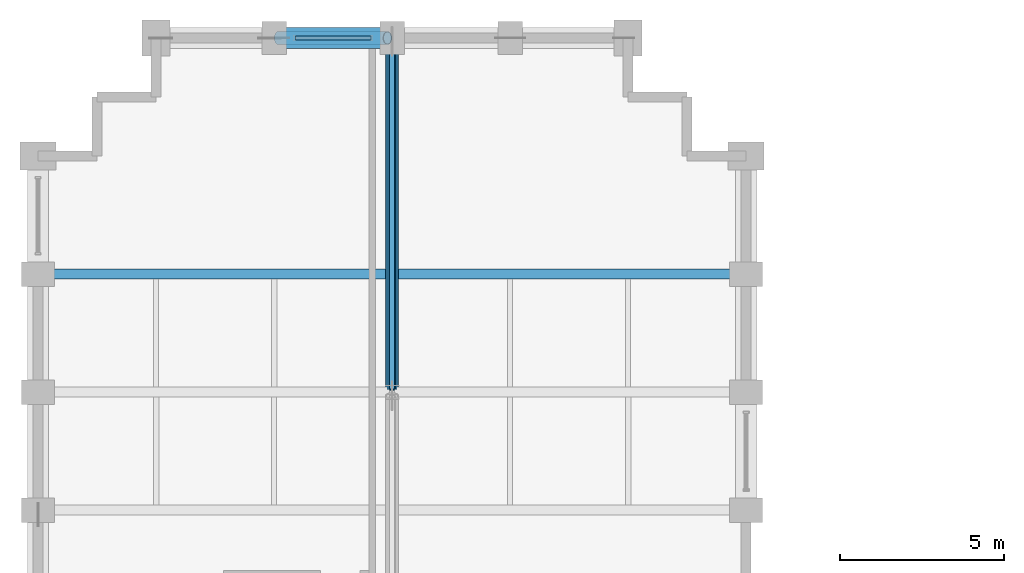
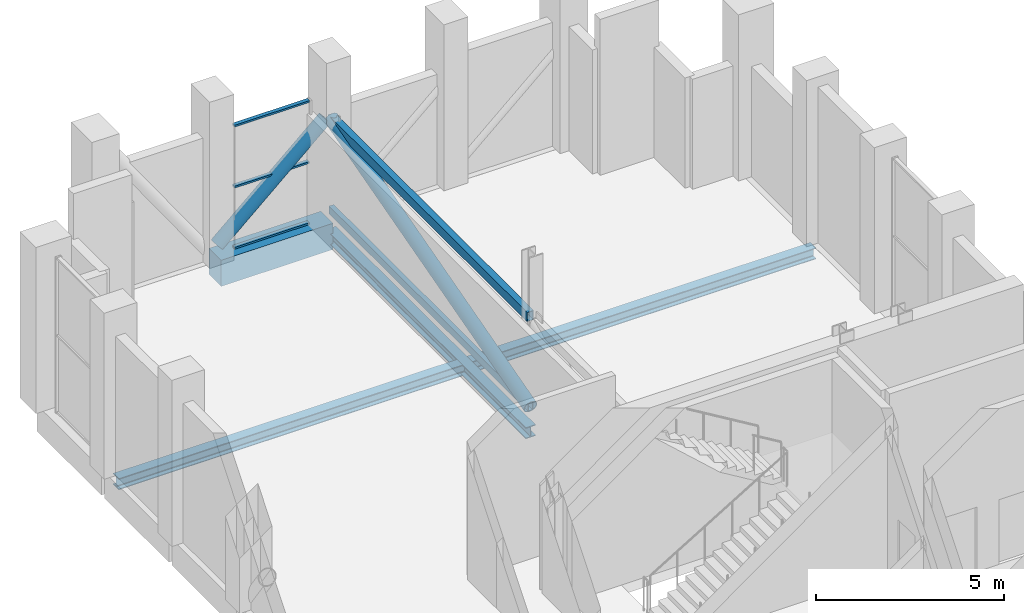
# One storey, part 12 of 19: 7 members, 3 beams, 1 element without a shape of its own.
"""IFC4 building model written with IfcOpenShell, lengths in metres."""

import ifcopenshell
import ifcopenshell.guid

model = None  # the IFC model being written
_history = None  # IfcOwnerHistory: only IFC2X3 demands one
_inside = {}  # id of a spatial element -> (the spatial element, [elements in it])
_under = {}  # id of a project, library or spatial element -> (it, [spatial elements below it])
_declared = {}  # id of a project -> (the project, [libraries it declares])
_typed = {}  # id of a type object -> (the type object, [elements of that type])
_made_of = {}  # id of a material, layer set ... -> (it, [elements and type objects made of it])


def new_model(schema):
    """Start an empty IFC model of exactly this schema.

    Asked for "IFC4X3", IfcOpenShell would pick the latest addendum, in which some entities
    have other attributes; the version numbers below select the first issue.
    IFC2X3 requires an IfcOwnerHistory on every rooted entity: one is made here for all.
    """
    global model, _history
    if schema == "IFC4X3":
        model = ifcopenshell.file(schema_version=(4, 3, 0, 0))
    else:
        model = ifcopenshell.file(schema=schema)
    _inside.clear()
    _under.clear()
    _declared.clear()
    _typed.clear()
    _made_of.clear()
    _history = None
    if model.schema == "IFC2X3":
        org = make("IfcOrganization", Name="unknown")
        user = make(
            "IfcPersonAndOrganization",
            ThePerson=make("IfcPerson", FamilyName="unknown"),
            TheOrganization=org,
        )
        app = make(
            "IfcApplication",
            ApplicationDeveloper=org,
            Version="unknown",
            ApplicationFullName="unknown",
            ApplicationIdentifier="unknown",
        )
        _history = make(
            "IfcOwnerHistory",
            OwningUser=user,
            OwningApplication=app,
            ChangeAction="ADDED",
            CreationDate=0,
        )
    return model


def make(cls, **values):
    """One entity of the class cls with the attributes given. An attribute that is None is left unset."""
    return model.create_entity(
        cls, **{name: value for name, value in values.items() if value is not None}
    )


def rooted(cls, **values):
    """An entity with a GlobalId (a new one), such as an element, a storey or a relation."""
    return make(cls, GlobalId=ifcopenshell.guid.new(), OwnerHistory=_history, **values)


def si_unit(unit_type, name, prefix=None):
    """IfcSIUnit, for example si_unit("LENGTHUNIT", "METRE", prefix="MILLI")."""
    return make("IfcSIUnit", UnitType=unit_type, Prefix=prefix, Name=name)


def assignment(units):
    """IfcUnitAssignment: the units of a project."""
    return None if units is None else make("IfcUnitAssignment", Units=units)


def point(xyz):
    """IfcCartesianPoint."""
    return None if xyz is None else make("IfcCartesianPoint", Coordinates=xyz)


def direction(xyz):
    """IfcDirection."""
    return None if xyz is None else make("IfcDirection", DirectionRatios=xyz)


def frame(location, z_axis=None, x_axis=None):
    """IfcAxis2Placement3D, a coordinate frame: its origin and axes. An axis left out is left unset."""
    return make(
        "IfcAxis2Placement3D",
        Location=point(location),
        Axis=direction(z_axis),
        RefDirection=direction(x_axis),
    )


def frame_2d(location, x_axis=None):
    """IfcAxis2Placement2D, a coordinate frame in the plane: its origin and x axis."""
    return make(
        "IfcAxis2Placement2D", Location=point(location), RefDirection=direction(x_axis)
    )


def origin():
    """The frame at (0, 0, 0) with its axes left unset."""
    return frame((0.0, 0.0, 0.0))


def origin_2d():
    """The frame at (0, 0) in the plane with its x axis left unset."""
    return frame_2d((0.0, 0.0))


def place(relative_to, where):
    """IfcLocalPlacement: puts the frame where relative to a parent placement (None: the world)."""
    return make(
        "IfcLocalPlacement", PlacementRelTo=relative_to, RelativePlacement=where
    )


def context(
    kind, dimensions, precision=None, world=None, true_north=None, identifier=None
):
    """IfcGeometricRepresentationContext, for example the 3D "Model" context."""
    return make(
        "IfcGeometricRepresentationContext",
        ContextIdentifier=identifier,
        ContextType=kind,
        CoordinateSpaceDimension=dimensions,
        Precision=precision,
        WorldCoordinateSystem=world,
        TrueNorth=true_north,
    )


def subcontext(parent, identifier, kind, view, scale=None):
    """IfcGeometricRepresentationSubContext, for example "Body" below "Model"."""
    return make(
        "IfcGeometricRepresentationSubContext",
        ContextIdentifier=identifier,
        ContextType=kind,
        ParentContext=parent,
        TargetScale=scale,
        TargetView=view,
    )


def project(units=None, contexts=None):
    """IfcProject with its units and contexts."""
    return rooted(
        "IfcProject",
        Name="project",
        RepresentationContexts=contexts,
        UnitsInContext=assignment(units),
    )


def spatial(cls, under=None, at=None, **own):
    """A site, building, storey or space (cls), placed at a placement, below another one or the project."""
    s = rooted(cls, ObjectPlacement=at, **own)
    if under is not None:
        _under.setdefault(under.id(), (under, []))[1].append(s)
    return s


def profile(cls, at=None, kind="AREA", **sizes):
    """A parametric profile (cls). Its sizes go by their IFC names, for example OverallWidth=200.0."""
    return make(cls, ProfileType=kind, Position=at, **sizes)


def rectangle(**sizes):
    """IfcRectangleProfileDef."""
    return profile("IfcRectangleProfileDef", **sizes)


def hollow_rectangle(**sizes):
    """IfcRectangleHollowProfileDef."""
    return profile("IfcRectangleHollowProfileDef", **sizes)


def hollow_circle(**sizes):
    """IfcCircleHollowProfileDef."""
    return profile("IfcCircleHollowProfileDef", **sizes)


def i_section(**sizes):
    """IfcIShapeProfileDef."""
    return profile("IfcIShapeProfileDef", **sizes)


def extrude(swept, where, along, depth):
    """IfcExtrudedAreaSolid: the profile swept, set in the frame where, extruded along a direction by depth."""
    return make(
        "IfcExtrudedAreaSolid",
        SweptArea=swept,
        Position=where,
        ExtrudedDirection=direction(along),
        Depth=depth,
    )


def shape(context_of_items, identifier, shape_type, items):
    """IfcShapeRepresentation: the items that make up one representation, for example the "Body"."""
    return make(
        "IfcShapeRepresentation",
        ContextOfItems=context_of_items,
        RepresentationIdentifier=identifier,
        RepresentationType=shape_type,
        Items=items,
    )


def material(Name=None, Category=None):
    """IfcMaterial."""
    return make("IfcMaterial", Name=Name, Category=Category)


def layer(
    of_material, thickness, ventilated=None, Name=None, Category=None, Priority=None
):
    """IfcMaterialLayer: one layer of a wall or slab, of a material (None: an air gap)."""
    return make(
        "IfcMaterialLayer",
        Material=of_material,
        LayerThickness=thickness,
        IsVentilated=ventilated,
        Name=Name,
        Category=Category,
        Priority=Priority,
    )


def layer_set(layers, Name=None):
    """IfcMaterialLayerSet."""
    return make("IfcMaterialLayerSet", MaterialLayers=layers, LayerSetName=Name)


def material_profile(
    of_material, cross_section, Name=None, Category=None, Priority=None
):
    """IfcMaterialProfile: a cross section and its material."""
    return make(
        "IfcMaterialProfile",
        Name=Name,
        Material=of_material,
        Profile=cross_section,
        Priority=Priority,
        Category=Category,
    )


def profile_set(profiles, Name=None, composite=None):
    """IfcMaterialProfileSet."""
    return make(
        "IfcMaterialProfileSet",
        Name=Name,
        MaterialProfiles=profiles,
        CompositeProfile=composite,
    )


def made_of(thing, what):
    """Note that an element or type object is made of a material, layer set ...; save() writes the relation."""
    if what is not None:
        _made_of.setdefault(what.id(), (what, []))[1].append(thing)
    return thing


def type_object(cls, material=None, **own):
    """A type object (cls), such as IfcWallType, which elements share."""
    return made_of(rooted(cls, **own), material)


def element(
    cls,
    number,
    at=None,
    inside=None,
    cuts=None,
    type_object=None,
    material=None,
    context=None,
    identifier="Body",
    shape_type=None,
    held_by="IfcProductDefinitionShape",
    body=None,
    shapes=None,
    **own,
):
    """One element of the class cls, such as IfcWall. Its Tag is "e" and its number.

    at: its placement. inside: the storey or other place that contains it. cuts: it is an
    opening in that element (IfcRelVoidsElement). A single representation is given by context,
    identifier, shape_type and body (its items); several are given by shapes. held_by: the class
    of the entity that holds the representations. save() writes the other relations.
    """
    e = rooted(cls, Tag="e%d" % number, ObjectPlacement=at, **own)
    if body is not None:
        shapes = [shape(context, identifier, shape_type, body)]
    if shapes is not None:
        e.Representation = make(held_by, Representations=shapes)
    if inside is not None:
        _inside.setdefault(inside.id(), (inside, []))[1].append(e)
    if cuts is not None:
        rooted(
            "IfcRelVoidsElement", RelatingBuildingElement=cuts, RelatedOpeningElement=e
        )
    if type_object is not None:
        _typed.setdefault(type_object.id(), (type_object, []))[1].append(e)
    return made_of(e, material)


def aggregate(whole, parts):
    """IfcRelAggregates: a whole, such as a stair, and the parts it consists of."""
    return rooted("IfcRelAggregates", RelatingObject=whole, RelatedObjects=parts)


def save(model, path):
    """Write the relations noted so far, then the file.

    IfcRelAggregates (storeys below a building ...), IfcRelContainedInSpatialStructure (elements
    in a storey), IfcRelDefinesByType, IfcRelAssociatesMaterial and IfcRelDeclares: one each for
    every whole, place, type object, material and project.
    """
    for whole, parts in _under.values():
        aggregate(whole, parts)
    for where, things in _inside.values():
        rooted(
            "IfcRelContainedInSpatialStructure",
            RelatedElements=things,
            RelatingStructure=where,
        )
    for kind, things in _typed.values():
        rooted("IfcRelDefinesByType", RelatedObjects=things, RelatingType=kind)
    for what, things in _made_of.values():
        rooted("IfcRelAssociatesMaterial", RelatedObjects=things, RelatingMaterial=what)
    for by, libraries in _declared.values():
        rooted("IfcRelDeclares", RelatingContext=by, RelatedDefinitions=libraries)
    model.write(path)


model = new_model("IFC4")

# Units and contexts
model_context = context("Model", 3, precision=1e-05, world=origin(), true_north=direction((0.0, 1.0)))
body_context = subcontext(model_context, "Body", "Model", "MODEL_VIEW")
ifc_project = project(units=[si_unit("LENGTHUNIT", "METRE"), si_unit("AREAUNIT", "SQUARE_METRE"), si_unit("VOLUMEUNIT", "CUBIC_METRE"), si_unit("PLANEANGLEUNIT", "RADIAN"), si_unit("MASSUNIT", "GRAM", prefix="KILO")], contexts=[model_context])

# Site, building, storey
site_placement = place(None, origin())
site = spatial("IfcSite", under=ifc_project, at=site_placement, CompositionType="ELEMENT")
building_placement = place(site_placement, origin())
building = spatial("IfcBuilding", under=site, at=building_placement, Name="Solnavia Interchange Tower", CompositionType="ELEMENT")
storey_placement = place(building_placement, frame((0.0, 0.0, 169.39990234375)))
storey = spatial("IfcBuildingStorey", under=building, at=storey_placement, Name="L42", CompositionType="ELEMENT", Elevation=169.39990234375)

# Beams
ifc_material_1 = material(Name="Steel S460", Category="steel")
ifc_material_profile_1 = material_profile(ifc_material_1, i_section(OverallWidth=0.300048828125, OverallDepth=0.360107421875, WebThickness=0.012451171875, FlangeThickness=0.0224609375, FilletRadius=0.027099609375, at=origin_2d()), Name="HEB 360")
ifc_profile_set_1 = profile_set([ifc_material_profile_1], Name="Steel S460")
beam_type_1 = type_object("IfcBeamType", Name="Beam-Girder-HEB360", PredefinedType="BEAM", material=ifc_profile_set_1)
beam_1_placement = place(storey_placement, frame((18.0, 32.47998046875, -0.5), z_axis=(0.0, 1.0, 0.0), x_axis=(-1.0, 0.0, 0.0)))
element("IfcBeam", 1, at=beam_1_placement, inside=storey, type_object=beam_type_1, Name="GRD-L42-NS09 North wing spine girder", PredefinedType="BEAM", context=body_context, shape_type="SweptSolid", body=[
    extrude(i_section(OverallWidth=0.300048828125, OverallDepth=0.360107421875, WebThickness=0.012451171875, FlangeThickness=0.0224609375, FilletRadius=0.027099609375, at=origin_2d()), origin(), (0.0, 0.0, 1.0), 10.64013671875),
])
beam_2_placement = place(storey_placement, frame((7.280029296875, 36.0, -0.5), z_axis=(1.0, 0.0, 0.0), x_axis=(0.0, 1.0, 0.0)))
element("IfcBeam", 2, at=beam_2_placement, inside=storey, type_object=beam_type_1, Name="GRD-L42-NW13 North wing primary floor girder", PredefinedType="BEAM", context=body_context, shape_type="SweptSolid", body=[
    extrude(i_section(OverallWidth=0.300048828125, OverallDepth=0.360107421875, WebThickness=0.012451171875, FlangeThickness=0.0224609375, FilletRadius=0.027099609375, at=origin_2d()), origin(), (0.0, 0.0, 1.0), 21.43994140625),
])
ifc_material_2 = material(Name="Concrete C50/60", Category="concrete")
ifc_material_profile_2 = material_profile(ifc_material_2, rectangle(XDim=0.64990234375, YDim=0.85009765625, at=origin_2d()), Name="RC 650x850")
ifc_profile_set_2 = profile_set([ifc_material_profile_2], Name="Concrete C50/60")
beam_type_2 = type_object("IfcBeamType", Name="Beam-Spandrel-RC650x850", PredefinedType="SPANDREL", material=ifc_profile_set_2)
beam_3_placement = place(storey_placement, frame((17.919921875, 43.199951171875, -0.4248046875), z_axis=(-1.0, 0.0, 0.0), x_axis=(0.0, -1.0, 0.0)))
element("IfcBeam", 3, at=beam_3_placement, inside=storey, type_object=beam_type_2, Name="SPB-L42-30 Framed-tube perimeter spandrel beam", PredefinedType="SPANDREL", context=body_context, shape_type="SweptSolid", body=[
    extrude(rectangle(XDim=0.64990234375, YDim=0.85009765625, at=origin_2d()), origin(), (0.0, 0.0, 1.0), 3.43994140625),
])

# Curtain wall, members
ifc_material_3 = material(Name="Aluminium Alloy 6063-T6", Category="aluminium")
ifc_layer = layer(ifc_material_3, 0.199951171875)
ifc_layer_set = layer_set([ifc_layer], Name="Aluminium Alloy 6063-T6")
curtain_wall_type = type_object("IfcCurtainWallType", Name="CurtainWall-Louvre-CTW5", PredefinedType="NOTDEFINED", material=ifc_layer_set)
curtain_wall_placement = place(storey_placement, origin())
curtain_wall = element("IfcCurtainWall", 4, at=curtain_wall_placement, inside=storey, type_object=curtain_wall_type, Name="CTW-L42-L36 CTW-5 curtain wall", PredefinedType="NOTDEFINED")
ifc_material_profile_3 = material_profile(ifc_material_3, hollow_rectangle(XDim=0.06005859375, YDim=0.1201171875, WallThickness=0.00390625, at=origin_2d()), Name="ALU 120x60x4")
ifc_profile_set_3 = profile_set([ifc_material_profile_3], Name="Aluminium Alloy 6063-T6")
member_type_1 = type_object("IfcMemberType", Name="CW-Transom-CWT-5", PredefinedType="USERDEFINED", material=ifc_profile_set_3)
member_1_placement = place(storey_placement, frame((17.3525390625, 43.199951171875, 0.030029296875), z_axis=(-1.0, 0.0, 0.0), x_axis=(0.0, 0.0, 1.0)))
member_1 = element("IfcMember", 5, at=member_1_placement, type_object=member_type_1, Name="CTW-5 transom 1.1", ObjectType="TRANSOM", PredefinedType="USERDEFINED", context=body_context, shape_type="SweptSolid", body=[
    extrude(hollow_rectangle(XDim=0.06005859375, YDim=0.1201171875, WallThickness=0.00390625, at=origin_2d()), origin(), (0.0, 0.0, 1.0), 2.304931640625),
])
member_2_placement = place(storey_placement, frame((17.3525390625, 43.199951171875, 2.01513671875), z_axis=(-1.0, 0.0, 0.0), x_axis=(0.0, 0.0, 1.0)))
member_2 = element("IfcMember", 6, at=member_2_placement, type_object=member_type_1, Name="CTW-5 transom 1.2", ObjectType="TRANSOM", PredefinedType="USERDEFINED", context=body_context, shape_type="SweptSolid", body=[
    extrude(hollow_rectangle(XDim=0.06005859375, YDim=0.1201171875, WallThickness=0.00390625, at=origin_2d()), origin(), (0.0, 0.0, 1.0), 2.304931640625),
])
member_3_placement = place(storey_placement, frame((17.3525390625, 43.199951171875, 4.0), z_axis=(-1.0, 0.0, 0.0), x_axis=(0.0, 0.0, 1.0)))
member_3 = element("IfcMember", 7, at=member_3_placement, type_object=member_type_1, Name="CTW-5 transom 1.3", ObjectType="TRANSOM", PredefinedType="USERDEFINED", context=body_context, shape_type="SweptSolid", body=[
    extrude(hollow_rectangle(XDim=0.06005859375, YDim=0.1201171875, WallThickness=0.00390625, at=origin_2d()), origin(), (0.0, 0.0, 1.0), 2.304931640625),
])
aggregate(curtain_wall, [member_1, member_2, member_3])

# Members
ifc_material_4 = material(Name="Steel S355", Category="steel")
ifc_material_profile_4 = material_profile(ifc_material_4, hollow_rectangle(XDim=0.14990234375, YDim=0.25, WallThickness=0.010009765625, at=origin_2d()), Name="RHS 250x150x10")
ifc_profile_set_4 = profile_set([ifc_material_profile_4], Name="Steel S355")
member_type_2 = type_object("IfcMemberType", Name="Outrigger-Chord-RHS250", PredefinedType="CHORD", material=ifc_profile_set_4)
member_4_placement = place(storey_placement, frame((18.0, 32.5, 0.300048828125), z_axis=(0.0, 1.0, 0.0), x_axis=(-1.0, 0.0, 0.0)))
element("IfcMember", 8, at=member_4_placement, inside=storey, type_object=member_type_2, Name="OTR-L42-BC03 Outrigger bottom chord", PredefinedType="CHORD", context=body_context, shape_type="SweptSolid", body=[
    extrude(hollow_rectangle(XDim=0.14990234375, YDim=0.25, WallThickness=0.010009765625, at=origin_2d()), origin(), (0.0, 0.0, 1.0), 10.60009765625),
])
ifc_material_profile_5 = material_profile(ifc_material_1, hollow_rectangle(XDim=0.199951171875, YDim=0.300048828125, WallThickness=0.012451171875, at=origin_2d()), Name="RHS 300x200x12.5")
ifc_profile_set_5 = profile_set([ifc_material_profile_5], Name="Steel S460")
member_type_3 = type_object("IfcMemberType", Name="Outrigger-Chord-RHS300", PredefinedType="CHORD", material=ifc_profile_set_5)
member_5_placement = place(storey_placement, frame((18.0, 32.5, 3.25), z_axis=(0.0, 1.0, 0.0), x_axis=(-1.0, 0.0, 0.0)))
element("IfcMember", 9, at=member_5_placement, inside=storey, type_object=member_type_3, Name="OTR-L42-TC03 Outrigger top chord", PredefinedType="CHORD", context=body_context, shape_type="SweptSolid", body=[
    extrude(hollow_rectangle(XDim=0.199951171875, YDim=0.300048828125, WallThickness=0.012451171875, at=origin_2d()), origin(), (0.0, 0.0, 1.0), 10.60009765625),
])
ifc_material_profile_6 = material_profile(ifc_material_1, hollow_circle(Radius=0.203125, WallThickness=0.02001953125, at=origin_2d()), Name="CHS 406.4x20")
ifc_profile_set_6 = profile_set([ifc_material_profile_6], Name="Steel S460")
member_type_4 = type_object("IfcMemberType", Name="Outrigger-Diag-CHS406", PredefinedType="BRACE", material=ifc_profile_set_6)
member_6_placement = place(storey_placement, frame((18.0, 32.5, 0.300048828125), z_axis=(0.0, 0.963389371219, 0.26810617192), x_axis=(-1.0, 0.0, 0.0)))
element("IfcMember", 10, at=member_6_placement, inside=storey, type_object=member_type_4, Name="OTR-L42-DG03 Outrigger truss diagonal", PredefinedType="BRACE", context=body_context, shape_type="SweptSolid", body=[
    extrude(hollow_circle(Radius=0.203125, WallThickness=0.02001953125, at=origin_2d()), origin(), (0.0, 0.0, 1.0), 11.0029296875),
])
member_7_placement = place(storey_placement, frame((14.5400390625, 43.199951171875, 0.300048828125), z_axis=(0.747545781752, 0.0, 0.664210286118), x_axis=(0.0, 1.0, 0.0)))
element("IfcMember", 11, at=member_7_placement, inside=storey, type_object=member_type_4, Name="OTR-L42-BT10 Belt truss diagonal", PredefinedType="BRACE", context=body_context, shape_type="SweptSolid", body=[
    extrude(hollow_circle(Radius=0.203125, WallThickness=0.02001953125, at=origin_2d()), origin(), (0.0, 0.0, 1.0), 4.44140625),
])

save(model, "model.ifc")
